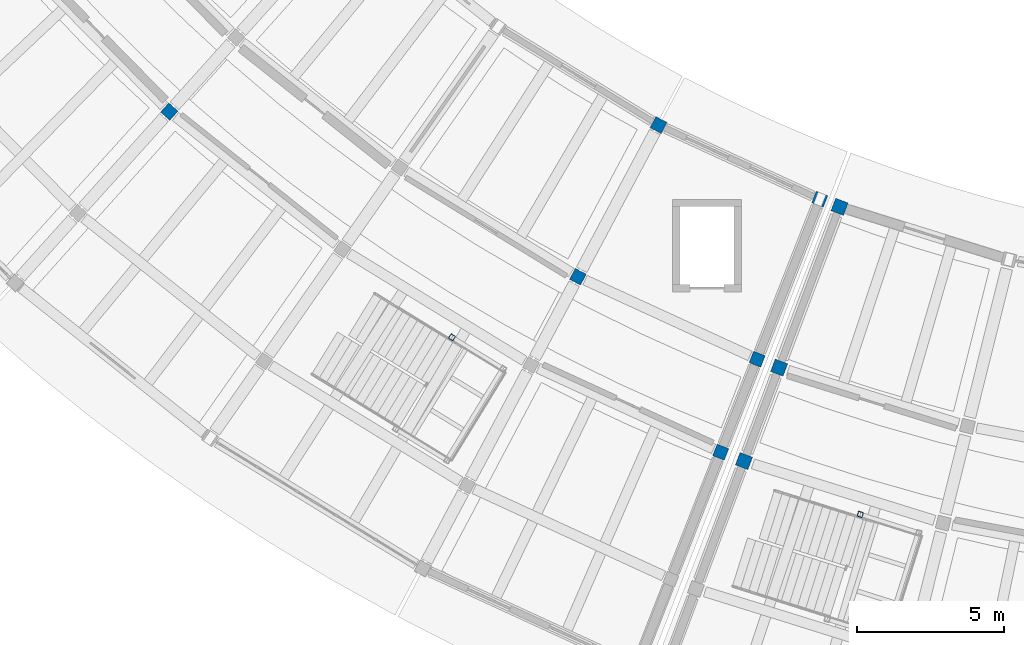
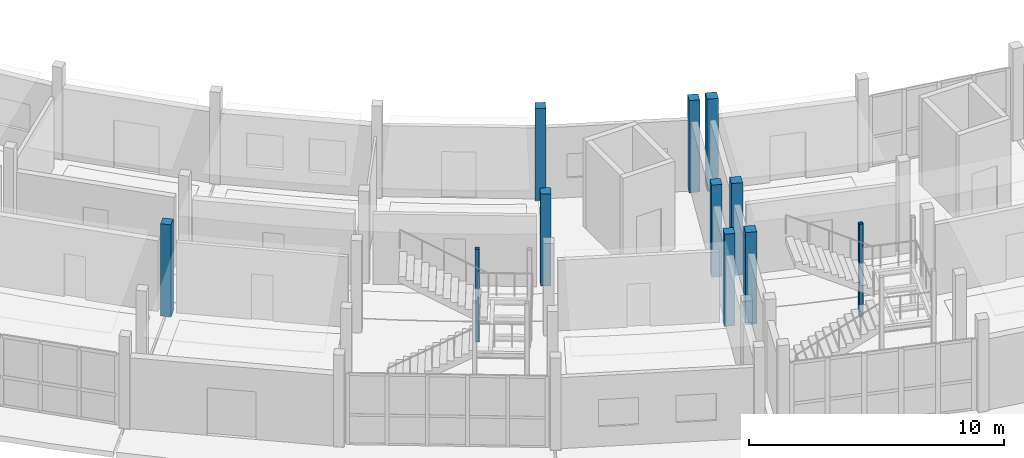
# One storey, part 7 of 92: 11 columns.
"""IFC4 building model written with IfcOpenShell, lengths in metres."""

from ifc_helpers import new_model, si_unit, direction, frame, origin, origin_2d, place, context, subcontext, project, spatial, rectangle, hollow_rectangle, extrude, material, material_profile, profile_set, type_object, element, save


model = new_model("IFC4")

# Units and contexts
model_context = context("Model", 3, precision=1e-05, world=origin(), true_north=direction((0.0, 1.0)))
body_context = subcontext(model_context, "Body", "Model", "MODEL_VIEW")
ifc_project = project(units=[si_unit("LENGTHUNIT", "METRE"), si_unit("AREAUNIT", "SQUARE_METRE"), si_unit("VOLUMEUNIT", "CUBIC_METRE"), si_unit("PLANEANGLEUNIT", "RADIAN"), si_unit("MASSUNIT", "GRAM", prefix="KILO")], contexts=[model_context])

# Site, building, storey
site_placement = place(None, origin())
site = spatial("IfcSite", under=ifc_project, at=site_placement, CompositionType="ELEMENT")
building_placement = place(site_placement, origin())
building = spatial("IfcBuilding", under=site, at=building_placement, Name="Caldaven Crescent School", CompositionType="ELEMENT")
storey_placement = place(building_placement, origin())
storey = spatial("IfcBuildingStorey", under=building, at=storey_placement, Name="L00", CompositionType="ELEMENT", Elevation=0.0)

# Columns
ifc_material_1 = material(Name="Glulam MLE24h (GL28h)", Category="wood")
ifc_material_profile_1 = material_profile(ifc_material_1, rectangle(XDim=0.419921875, YDim=0.419921875, at=origin_2d()), Name="MLE 420x420")
ifc_profile_set_1 = profile_set([ifc_material_profile_1], Name="Glulam MLE24h (GL28h)")
column_type_1 = type_object("IfcColumnType", Name="COL-GL42", PredefinedType="COLUMN", material=ifc_profile_set_1)
for number, where, z_axis, x_axis, name in (
    (1, (46.714599609375, 50.14794921875, 0.0), (0.0, 0.0, 1.0), (-0.669130606359, -0.743144825477, 0.0), "COL-V4W-L00-02-2"),
    (2, (63.376220703125, 49.689453125, 0.0), (0.0, 0.0, 1.0), (-0.469471562786, -0.882947592859, 0.0), "COL-V4W-L00-04-0"),
    (3, (60.6298828125, 44.524169921875, 0.0), (0.0, 0.0, 1.0), (-0.469471562786, -0.882947592859, 0.0), "COL-V4W-L00-04-1"),
    (4, (68.866943359375, 47.164306640625, 0.0), (0.0, 0.0, 1.0), (-0.364714278886, -0.931119484694, 0.0), "COL-V4W-L00-05-0"),
    (5, (66.73291015625, 41.71728515625, 0.0), (0.0, 0.0, 1.0), (-0.364714278886, -0.931119484694, 0.0), "COL-V4W-L00-05-1"),
    (6, (65.49267578125, 38.5517578125, 0.0), (0.0, 0.0, 1.0), (-0.364714278886, -0.931119484694, 0.0), "COL-V4W-L00-05-2"),
):
    element("IfcColumn", number, at=place(storey_placement, frame(where, z_axis=z_axis, x_axis=x_axis)), inside=storey, type_object=column_type_1, Name=name, PredefinedType="COLUMN", context=body_context, shape_type="SweptSolid", body=[
        extrude(rectangle(XDim=0.419921875, YDim=0.419921875, at=origin_2d()), origin(), (0.0, 0.0, 1.0), 4.419921875),
    ])
ifc_material_profile_2 = material_profile(ifc_material_1, rectangle(XDim=0.449951171875, YDim=0.449951171875, at=origin_2d()), Name="MLE 450x450")
ifc_profile_set_2 = profile_set([ifc_material_profile_2], Name="Glulam MLE24h (GL28h)")
column_type_2 = type_object("IfcColumnType", Name="COL-GL45", PredefinedType="COLUMN", material=ifc_profile_set_2)
for number, where, z_axis, x_axis, name in (
    (7, (69.541259765625, 46.905517578125, 0.0), (0.0, 0.0, 1.0), (-0.352005016254, -0.93599811353, 0.0), "COL-V5-L00-00-0"),
    (8, (67.482421875, 41.4296875, 0.0), (0.0, 0.0, 1.0), (-0.352005016254, -0.93599811353, 0.0), "COL-V5-L00-00-1"),
    (9, (66.285888671875, 38.247314453125, 0.0), (0.0, 0.0, 1.0), (-0.352005016254, -0.93599811353, 0.0), "COL-V5-L00-00-2"),
):
    element("IfcColumn", number, at=place(storey_placement, frame(where, z_axis=z_axis, x_axis=x_axis)), inside=storey, type_object=column_type_2, Name=name, PredefinedType="COLUMN", context=body_context, shape_type="SweptSolid", body=[
        extrude(rectangle(XDim=0.449951171875, YDim=0.449951171875, at=origin_2d()), origin(), (0.0, 0.0, 1.0), 4.419921875),
    ])
ifc_material_2 = material(Name="Steel ASTM A572 Grade 50", Category="steel")
ifc_material_profile_3 = material_profile(ifc_material_2, hollow_rectangle(XDim=0.179931640625, YDim=0.179931640625, WallThickness=0.010009765625, InnerFilletRadius=0.010009765625, OuterFilletRadius=0.02001953125, at=origin_2d()), Name="HSS 180x180x10")
ifc_profile_set_3 = profile_set([ifc_material_profile_3], Name="Steel ASTM A572 Grade 50")
column_type_3 = type_object("IfcColumnType", Name="COL-HS18", PredefinedType="COLUMN", material=ifc_profile_set_3)
for number, where, z_axis, x_axis, name in (
    (10, (56.34130859375, 42.462158203125, 0.0), (0.0, 0.0, 1.0), (0.852640164354, -0.522498564716, 0.0), "COL-STPOST-ST1-L00-B"),
    (11, (70.245849609375, 36.431884765625, 0.0), (0.0, 0.0, 1.0), (0.953716950748, -0.300705799504, 0.0), "COL-STPOST-ST2-L00-B"),
):
    element("IfcColumn", number, at=place(storey_placement, frame(where, z_axis=z_axis, x_axis=x_axis)), inside=storey, type_object=column_type_3, Name=name, PredefinedType="COLUMN", context=body_context, shape_type="SweptSolid", body=[
        extrude(hollow_rectangle(XDim=0.179931640625, YDim=0.179931640625, WallThickness=0.010009765625, InnerFilletRadius=0.010009765625, OuterFilletRadius=0.02001953125, at=origin_2d()), origin(), (0.0, 0.0, 1.0), 4.419921875),
    ])

save(model, "model.ifc")
